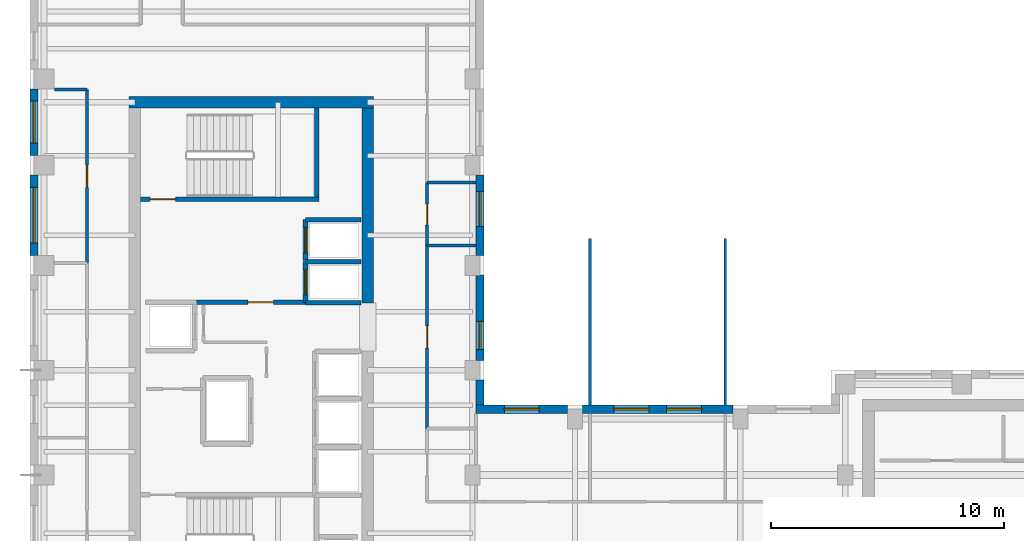
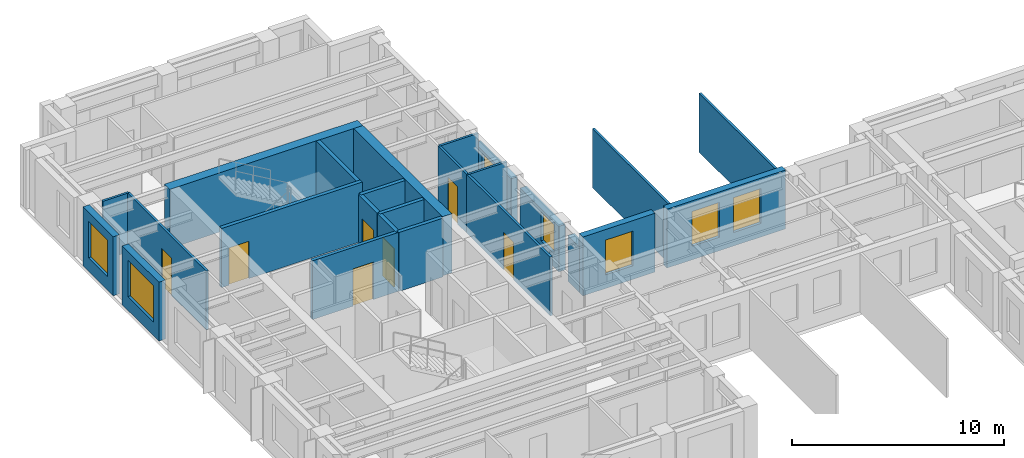
# One storey, part 5 of 10: 25 walls, 7 doors, 7 windows, 14 openings.
"""IFC4 building model written with IfcOpenShell, lengths in metres."""

import ifcopenshell
import ifcopenshell.guid

model = None  # the IFC model being written
_history = None  # IfcOwnerHistory: only IFC2X3 demands one
_inside = {}  # id of a spatial element -> (the spatial element, [elements in it])
_under = {}  # id of a project, library or spatial element -> (it, [spatial elements below it])
_declared = {}  # id of a project -> (the project, [libraries it declares])
_typed = {}  # id of a type object -> (the type object, [elements of that type])
_made_of = {}  # id of a material, layer set ... -> (it, [elements and type objects made of it])


def new_model(schema):
    """Start an empty IFC model of exactly this schema.

    Asked for "IFC4X3", IfcOpenShell would pick the latest addendum, in which some entities
    have other attributes; the version numbers below select the first issue.
    IFC2X3 requires an IfcOwnerHistory on every rooted entity: one is made here for all.
    """
    global model, _history
    if schema == "IFC4X3":
        model = ifcopenshell.file(schema_version=(4, 3, 0, 0))
    else:
        model = ifcopenshell.file(schema=schema)
    _inside.clear()
    _under.clear()
    _declared.clear()
    _typed.clear()
    _made_of.clear()
    _history = None
    if model.schema == "IFC2X3":
        org = make("IfcOrganization", Name="unknown")
        user = make(
            "IfcPersonAndOrganization",
            ThePerson=make("IfcPerson", FamilyName="unknown"),
            TheOrganization=org,
        )
        app = make(
            "IfcApplication",
            ApplicationDeveloper=org,
            Version="unknown",
            ApplicationFullName="unknown",
            ApplicationIdentifier="unknown",
        )
        _history = make(
            "IfcOwnerHistory",
            OwningUser=user,
            OwningApplication=app,
            ChangeAction="ADDED",
            CreationDate=0,
        )
    return model


def make(cls, **values):
    """One entity of the class cls with the attributes given. An attribute that is None is left unset."""
    return model.create_entity(
        cls, **{name: value for name, value in values.items() if value is not None}
    )


def rooted(cls, **values):
    """An entity with a GlobalId (a new one), such as an element, a storey or a relation."""
    return make(cls, GlobalId=ifcopenshell.guid.new(), OwnerHistory=_history, **values)


def si_unit(unit_type, name, prefix=None):
    """IfcSIUnit, for example si_unit("LENGTHUNIT", "METRE", prefix="MILLI")."""
    return make("IfcSIUnit", UnitType=unit_type, Prefix=prefix, Name=name)


def assignment(units):
    """IfcUnitAssignment: the units of a project."""
    return None if units is None else make("IfcUnitAssignment", Units=units)


def point(xyz):
    """IfcCartesianPoint."""
    return None if xyz is None else make("IfcCartesianPoint", Coordinates=xyz)


def direction(xyz):
    """IfcDirection."""
    return None if xyz is None else make("IfcDirection", DirectionRatios=xyz)


def frame(location, z_axis=None, x_axis=None):
    """IfcAxis2Placement3D, a coordinate frame: its origin and axes. An axis left out is left unset."""
    return make(
        "IfcAxis2Placement3D",
        Location=point(location),
        Axis=direction(z_axis),
        RefDirection=direction(x_axis),
    )


def frame_2d(location, x_axis=None):
    """IfcAxis2Placement2D, a coordinate frame in the plane: its origin and x axis."""
    return make(
        "IfcAxis2Placement2D", Location=point(location), RefDirection=direction(x_axis)
    )


def origin():
    """The frame at (0, 0, 0) with its axes left unset."""
    return frame((0.0, 0.0, 0.0))


def place(relative_to, where):
    """IfcLocalPlacement: puts the frame where relative to a parent placement (None: the world)."""
    return make(
        "IfcLocalPlacement", PlacementRelTo=relative_to, RelativePlacement=where
    )


def context(
    kind, dimensions, precision=None, world=None, true_north=None, identifier=None
):
    """IfcGeometricRepresentationContext, for example the 3D "Model" context."""
    return make(
        "IfcGeometricRepresentationContext",
        ContextIdentifier=identifier,
        ContextType=kind,
        CoordinateSpaceDimension=dimensions,
        Precision=precision,
        WorldCoordinateSystem=world,
        TrueNorth=true_north,
    )


def subcontext(parent, identifier, kind, view, scale=None):
    """IfcGeometricRepresentationSubContext, for example "Body" below "Model"."""
    return make(
        "IfcGeometricRepresentationSubContext",
        ContextIdentifier=identifier,
        ContextType=kind,
        ParentContext=parent,
        TargetScale=scale,
        TargetView=view,
    )


def project(units=None, contexts=None):
    """IfcProject with its units and contexts."""
    return rooted(
        "IfcProject",
        Name="project",
        RepresentationContexts=contexts,
        UnitsInContext=assignment(units),
    )


def spatial(cls, under=None, at=None, **own):
    """A site, building, storey or space (cls), placed at a placement, below another one or the project."""
    s = rooted(cls, ObjectPlacement=at, **own)
    if under is not None:
        _under.setdefault(under.id(), (under, []))[1].append(s)
    return s


def profile(cls, at=None, kind="AREA", **sizes):
    """A parametric profile (cls). Its sizes go by their IFC names, for example OverallWidth=200.0."""
    return make(cls, ProfileType=kind, Position=at, **sizes)


def rectangle(**sizes):
    """IfcRectangleProfileDef."""
    return profile("IfcRectangleProfileDef", **sizes)


def extrude(swept, where, along, depth):
    """IfcExtrudedAreaSolid: the profile swept, set in the frame where, extruded along a direction by depth."""
    return make(
        "IfcExtrudedAreaSolid",
        SweptArea=swept,
        Position=where,
        ExtrudedDirection=direction(along),
        Depth=depth,
    )


def shape(context_of_items, identifier, shape_type, items):
    """IfcShapeRepresentation: the items that make up one representation, for example the "Body"."""
    return make(
        "IfcShapeRepresentation",
        ContextOfItems=context_of_items,
        RepresentationIdentifier=identifier,
        RepresentationType=shape_type,
        Items=items,
    )


def source(mapping_origin, context_of_items, identifier, shape_type, items):
    """IfcRepresentationMap: a shape defined once, which mapped items show again and again."""
    return make(
        "IfcRepresentationMap",
        MappingOrigin=mapping_origin,
        MappedRepresentation=shape(context_of_items, identifier, shape_type, items),
    )


def transform(
    local_origin,
    x_axis=None,
    y_axis=None,
    z_axis=None,
    scale=None,
    scale2=None,
    scale3=None,
    uniform=True,
):
    """IfcCartesianTransformationOperator3D, or its non-uniform kind. x_axis, y_axis, z_axis: its Axis1, 2, 3."""
    if uniform:
        return make(
            "IfcCartesianTransformationOperator3D",
            Axis1=direction(x_axis),
            Axis2=direction(y_axis),
            LocalOrigin=point(local_origin),
            Scale=scale,
            Axis3=direction(z_axis),
        )
    return make(
        "IfcCartesianTransformationOperator3DnonUniform",
        Axis1=direction(x_axis),
        Axis2=direction(y_axis),
        LocalOrigin=point(local_origin),
        Scale=scale,
        Axis3=direction(z_axis),
        Scale2=scale2,
        Scale3=scale3,
    )


def mapped(mapping_source, mapping_target):
    """IfcMappedItem: shows the shape of a source again, moved by a transform."""
    return make(
        "IfcMappedItem", MappingSource=mapping_source, MappingTarget=mapping_target
    )


def material(Name=None, Category=None):
    """IfcMaterial."""
    return make("IfcMaterial", Name=Name, Category=Category)


def layer(
    of_material, thickness, ventilated=None, Name=None, Category=None, Priority=None
):
    """IfcMaterialLayer: one layer of a wall or slab, of a material (None: an air gap)."""
    return make(
        "IfcMaterialLayer",
        Material=of_material,
        LayerThickness=thickness,
        IsVentilated=ventilated,
        Name=Name,
        Category=Category,
        Priority=Priority,
    )


def layer_set(layers, Name=None):
    """IfcMaterialLayerSet."""
    return make("IfcMaterialLayerSet", MaterialLayers=layers, LayerSetName=Name)


def made_of(thing, what):
    """Note that an element or type object is made of a material, layer set ...; save() writes the relation."""
    if what is not None:
        _made_of.setdefault(what.id(), (what, []))[1].append(thing)
    return thing


def type_object(cls, material=None, **own):
    """A type object (cls), such as IfcWallType, which elements share."""
    return made_of(rooted(cls, **own), material)


def element(
    cls,
    number,
    at=None,
    inside=None,
    cuts=None,
    type_object=None,
    material=None,
    context=None,
    identifier="Body",
    shape_type=None,
    held_by="IfcProductDefinitionShape",
    body=None,
    shapes=None,
    **own,
):
    """One element of the class cls, such as IfcWall. Its Tag is "e" and its number.

    at: its placement. inside: the storey or other place that contains it. cuts: it is an
    opening in that element (IfcRelVoidsElement). A single representation is given by context,
    identifier, shape_type and body (its items); several are given by shapes. held_by: the class
    of the entity that holds the representations. save() writes the other relations.
    """
    e = rooted(cls, Tag="e%d" % number, ObjectPlacement=at, **own)
    if body is not None:
        shapes = [shape(context, identifier, shape_type, body)]
    if shapes is not None:
        e.Representation = make(held_by, Representations=shapes)
    if inside is not None:
        _inside.setdefault(inside.id(), (inside, []))[1].append(e)
    if cuts is not None:
        rooted(
            "IfcRelVoidsElement", RelatingBuildingElement=cuts, RelatedOpeningElement=e
        )
    if type_object is not None:
        _typed.setdefault(type_object.id(), (type_object, []))[1].append(e)
    return made_of(e, material)


def fill(opening, filler):
    """IfcRelFillsElement: the door or window that sits in an opening."""
    return rooted(
        "IfcRelFillsElement",
        RelatingOpeningElement=opening,
        RelatedBuildingElement=filler,
    )


def aggregate(whole, parts):
    """IfcRelAggregates: a whole, such as a stair, and the parts it consists of."""
    return rooted("IfcRelAggregates", RelatingObject=whole, RelatedObjects=parts)


def save(model, path):
    """Write the relations noted so far, then the file.

    IfcRelAggregates (storeys below a building ...), IfcRelContainedInSpatialStructure (elements
    in a storey), IfcRelDefinesByType, IfcRelAssociatesMaterial and IfcRelDeclares: one each for
    every whole, place, type object, material and project.
    """
    for whole, parts in _under.values():
        aggregate(whole, parts)
    for where, things in _inside.values():
        rooted(
            "IfcRelContainedInSpatialStructure",
            RelatedElements=things,
            RelatingStructure=where,
        )
    for kind, things in _typed.values():
        rooted("IfcRelDefinesByType", RelatedObjects=things, RelatingType=kind)
    for what, things in _made_of.values():
        rooted("IfcRelAssociatesMaterial", RelatedObjects=things, RelatingMaterial=what)
    for by, libraries in _declared.values():
        rooted("IfcRelDeclares", RelatingContext=by, RelatedDefinitions=libraries)
    model.write(path)


model = new_model("IFC4")

# Units and contexts
model_context = context("Model", 3, precision=1e-05, world=origin(), true_north=direction((0.0, 1.0)))
body_context = subcontext(model_context, "Body", "Model", "MODEL_VIEW")
ifc_project = project(units=[si_unit("LENGTHUNIT", "METRE"), si_unit("AREAUNIT", "SQUARE_METRE"), si_unit("VOLUMEUNIT", "CUBIC_METRE"), si_unit("PLANEANGLEUNIT", "RADIAN"), si_unit("MASSUNIT", "GRAM", prefix="KILO")], contexts=[model_context])

# Site, building, storey
site_placement = place(None, origin())
site = spatial("IfcSite", under=ifc_project, at=site_placement, CompositionType="ELEMENT")
building_placement = place(site_placement, origin())
building = spatial("IfcBuilding", under=site, at=building_placement, Name="Kharzan Plaza Tower", CompositionType="ELEMENT")
storey_placement = place(building_placement, frame((0.0, 0.0, 230.39990234375)))
storey = spatial("IfcBuildingStorey", under=building, at=storey_placement, Name="L62", CompositionType="ELEMENT", Elevation=230.39990234375)

# Wall, opening, window
ifc_material_1 = material(Name="Concrete C40/50", Category="concrete")
ifc_layer_1 = layer(ifc_material_1, 0.35009765625)
ifc_layer_set_1 = layer_set([ifc_layer_1], Name="Concrete C40/50")
wall_type_1 = type_object("IfcWallType", Name="WL-EXT-MAS-Z4", PredefinedType="SOLIDWALL", material=ifc_layer_set_1)
wall_1_placement = place(storey_placement, frame((19.324951171875, 18.423095703125, 0.0), z_axis=(0.0, 0.0, 1.0), x_axis=(0.0, 1.0, 0.0)))
wall_1 = element("IfcWall", 1, at=wall_1_placement, inside=storey, type_object=wall_type_1, Name="L62 Masonry-Frame Exterior Wall 02", PredefinedType="SOLIDWALL", context=body_context, shape_type="SweptSolid", body=[
    extrude(rectangle(XDim=3.65380859375, YDim=0.35009765625, at=frame_2d((1.826904296875, 0.0))), origin(), (0.0, 0.0, 1.0), 2.619140625),
])
opening_1_placement = place(wall_1_placement, frame((0.469970703125, 0.0, 0.780029296875)))
opening_1 = element("IfcOpeningElement", 2, at=opening_1_placement, cuts=wall_1, Name="Opening W3", PredefinedType="OPENING", context=body_context, shape_type="SweptSolid", body=[
    extrude(rectangle(XDim=1.199951171875, YDim=1.658935546875, at=frame_2d((0.60009765625, 0.82958984375))), frame((0.0, 0.18505859375, 0.0), z_axis=(0.0, -1.0, 0.0), x_axis=(1.0, 0.0, 0.0)), (0.0, 0.0, 1.0), 0.3701171875),
])
ifc_material_2 = material(Name="Low-E Double Glazing", Category="glass")
window_type_1 = type_object("IfcWindowType", Name="WN-REC-1200x2100", PartitioningType="SINGLE_PANEL", PredefinedType="WINDOW", material=ifc_material_2)
shared_shape_1 = source(origin(), body_context, "Body", "SweptSolid", [
    extrude(rectangle(XDim=1.199951171875, YDim=1.658935546875, at=frame_2d((0.60009765625, 0.82958984375))), frame((0.0, 0.030029296875, 0.0), z_axis=(0.0, -1.0, 0.0), x_axis=(1.0, 0.0, 0.0)), (0.0, 0.0, 1.0), 0.06005859375),
])
window_1_placement = place(opening_1_placement, origin())
window_1 = element("IfcWindow", 3, at=window_1_placement, inside=storey, type_object=window_type_1, Name="L62 Recessed Solar-Control Window 02-1", OverallHeight=1.658935546875, OverallWidth=1.199951171875, PartitioningType="SINGLE_PANEL", PredefinedType="WINDOW", context=body_context, shape_type="MappedRepresentation", body=[
    mapped(shared_shape_1, transform((0.0, 0.0, 0.0), x_axis=(1.0, 0.0, 0.0), y_axis=(0.0, 1.0, 0.0), z_axis=(0.0, 0.0, 1.0))),
])
fill(opening_1, window_1)

wall_2_placement = place(storey_placement, frame((19.324951171875, 22.923095703125, 0.0), z_axis=(0.0, 0.0, 1.0), x_axis=(0.0, 1.0, 0.0)))
wall_2 = element("IfcWall", 4, at=wall_2_placement, inside=storey, type_object=wall_type_1, Name="L62 Masonry-Frame Exterior Wall 03", PredefinedType="SOLIDWALL", context=body_context, shape_type="SweptSolid", body=[
    extrude(rectangle(XDim=3.453857421875, YDim=0.35009765625, at=frame_2d((1.72705078125, 0.0))), origin(), (0.0, 0.0, 1.0), 2.619140625),
])
opening_2_placement = place(wall_2_placement, frame((1.255615234375, 0.0, 0.780029296875)))
opening_2 = element("IfcOpeningElement", 5, at=opening_2_placement, cuts=wall_2, Name="Opening W5", PredefinedType="OPENING", context=body_context, shape_type="SweptSolid", body=[
    extrude(rectangle(XDim=1.5, YDim=1.658935546875, at=frame_2d((0.75, 0.82958984375))), frame((0.0, 0.18505859375, 0.0), z_axis=(0.0, -1.0, 0.0), x_axis=(1.0, 0.0, 0.0)), (0.0, 0.0, 1.0), 0.3701171875),
])
window_type_2 = type_object("IfcWindowType", Name="WN-SLT-1500x2000", PartitioningType="SINGLE_PANEL", PredefinedType="WINDOW", material=ifc_material_2)
shared_shape_2 = source(origin(), body_context, "Body", "SweptSolid", [
    extrude(rectangle(XDim=1.5, YDim=1.658935546875, at=frame_2d((0.75, 0.82958984375))), frame((0.0, 0.030029296875, 0.0), z_axis=(0.0, -1.0, 0.0), x_axis=(1.0, 0.0, 0.0)), (0.0, 0.0, 1.0), 0.06005859375),
])
window_2_placement = place(opening_2_placement, origin())
window_2 = element("IfcWindow", 6, at=window_2_placement, inside=storey, type_object=window_type_2, Name="L62 Recessed Solar-Control Window 03-1", OverallHeight=1.658935546875, OverallWidth=1.5, PartitioningType="SINGLE_PANEL", PredefinedType="WINDOW", context=body_context, shape_type="MappedRepresentation", body=[
    mapped(shared_shape_2, transform((0.0, 0.0, 0.0), x_axis=(1.0, 0.0, 0.0), y_axis=(0.0, 1.0, 0.0), z_axis=(0.0, 0.0, 1.0))),
])
fill(opening_2, window_2)

wall_3_placement = place(storey_placement, frame((0.175048828125, 30.076904296875, 0.0), z_axis=(0.0, 0.0, 1.0), x_axis=(0.0, -1.0, 0.0)))
wall_3 = element("IfcWall", 7, at=wall_3_placement, inside=storey, type_object=wall_type_1, Name="L62 Masonry-Frame Exterior Wall 17", PredefinedType="SOLIDWALL", context=body_context, shape_type="SweptSolid", body=[
    extrude(rectangle(XDim=2.85400390625, YDim=0.35009765625, at=frame_2d((1.427001953125, 0.0))), origin(), (0.0, 0.0, 1.0), 3.385009765625),
])
opening_3_placement = place(wall_3_placement, frame((0.527099609375, 0.0, 0.780029296875)))
opening_3 = element("IfcOpeningElement", 8, at=opening_3_placement, cuts=wall_3, Name="Opening W1", PredefinedType="OPENING", context=body_context, shape_type="SweptSolid", body=[
    extrude(rectangle(XDim=1.800048828125, YDim=2.10009765625, at=frame_2d((0.89990234375, 1.050048828125))), frame((0.0, 0.18505859375, 0.0), z_axis=(0.0, -1.0, 0.0), x_axis=(1.0, 0.0, 0.0)), (0.0, 0.0, 1.0), 0.3701171875),
])
window_type_3 = type_object("IfcWindowType", Name="WN-REC-1800x2100", PartitioningType="SINGLE_PANEL", PredefinedType="WINDOW", material=ifc_material_2)
shared_shape_3 = source(origin(), body_context, "Body", "SweptSolid", [
    extrude(rectangle(XDim=1.800048828125, YDim=2.10009765625, at=frame_2d((0.89990234375, 1.050048828125))), frame((0.0, 0.030029296875, 0.0), z_axis=(0.0, -1.0, 0.0), x_axis=(1.0, 0.0, 0.0)), (0.0, 0.0, 1.0), 0.06005859375),
])
window_3_placement = place(opening_3_placement, origin())
window_3 = element("IfcWindow", 9, at=window_3_placement, inside=storey, type_object=window_type_3, Name="L62 Recessed Solar-Control Window 17-1", OverallHeight=2.10009765625, OverallWidth=1.800048828125, PartitioningType="SINGLE_PANEL", PredefinedType="WINDOW", context=body_context, shape_type="MappedRepresentation", body=[
    mapped(shared_shape_3, transform((0.0, 0.0, 0.0), x_axis=(1.0, 0.0, 0.0), y_axis=(0.0, 1.0, 0.0), z_axis=(0.0, 0.0, 1.0))),
])
fill(opening_3, window_3)

wall_4_placement = place(storey_placement, frame((0.175048828125, 26.376953125, 0.0), z_axis=(0.0, 0.0, 1.0), x_axis=(0.0, -1.0, 0.0)))
wall_4 = element("IfcWall", 10, at=wall_4_placement, inside=storey, type_object=wall_type_1, Name="L62 Masonry-Frame Exterior Wall 18", PredefinedType="SOLIDWALL", context=body_context, shape_type="SweptSolid", body=[
    extrude(rectangle(XDim=3.453857421875, YDim=0.35009765625, at=frame_2d((1.72705078125, 0.0))), origin(), (0.0, 0.0, 1.0), 3.385009765625),
])
opening_4_placement = place(wall_4_placement, frame((0.527099609375, 0.0, 0.780029296875)))
opening_4 = element("IfcOpeningElement", 11, at=opening_4_placement, cuts=wall_4, Name="Opening W2", PredefinedType="OPENING", context=body_context, shape_type="SweptSolid", body=[
    extrude(rectangle(XDim=2.39990234375, YDim=2.10009765625, at=frame_2d((1.199951171875, 1.050048828125))), frame((0.0, 0.18505859375, 0.0), z_axis=(0.0, -1.0, 0.0), x_axis=(1.0, 0.0, 0.0)), (0.0, 0.0, 1.0), 0.3701171875),
])
window_type_4 = type_object("IfcWindowType", Name="WN-REC-2400x2100", PartitioningType="SINGLE_PANEL", PredefinedType="WINDOW", material=ifc_material_2)
shared_shape_4 = source(origin(), body_context, "Body", "SweptSolid", [
    extrude(rectangle(XDim=2.39990234375, YDim=2.10009765625, at=frame_2d((1.199951171875, 1.050048828125))), frame((0.0, 0.030029296875, 0.0), z_axis=(0.0, -1.0, 0.0), x_axis=(1.0, 0.0, 0.0)), (0.0, 0.0, 1.0), 0.06005859375),
])
window_4_placement = place(opening_4_placement, origin())
window_4 = element("IfcWindow", 12, at=window_4_placement, inside=storey, type_object=window_type_4, Name="L62 Wide Recessed Solar-Control Window 18-1", OverallHeight=2.10009765625, OverallWidth=2.39990234375, PartitioningType="SINGLE_PANEL", PredefinedType="WINDOW", context=body_context, shape_type="MappedRepresentation", body=[
    mapped(shared_shape_4, transform((0.0, 0.0, 0.0), x_axis=(1.0, 0.0, 0.0), y_axis=(0.0, 1.0, 0.0), z_axis=(0.0, 0.0, 1.0))),
])
fill(opening_4, window_4)

# Wall, openings, windows
wall_5_placement = place(storey_placement, frame((30.177001953125, 16.324951171875, 0.0), z_axis=(0.0, 0.0, 1.0), x_axis=(-1.0, 0.0, 0.0)))
wall_5 = element("IfcWall", 13, at=wall_5_placement, inside=storey, type_object=wall_type_1, Name="L62 Masonry-Frame Exterior Wall 49", PredefinedType="SOLIDWALL", context=body_context, shape_type="SweptSolid", body=[
    extrude(rectangle(XDim=6.4541015625, YDim=0.35009765625, at=frame_2d((3.22705078125, 0.0))), origin(), (0.0, 0.0, 1.0), 3.385009765625),
])
opening_5_placement = place(wall_5_placement, frame((1.34375, 0.0, 0.780029296875)))
opening_5 = element("IfcOpeningElement", 14, at=opening_5_placement, cuts=wall_5, Name="Opening W5", PredefinedType="OPENING", context=body_context, shape_type="SweptSolid", body=[
    extrude(rectangle(XDim=1.5, YDim=2.0, at=frame_2d((0.75, 1.0))), frame((0.0, 0.18505859375, 0.0), z_axis=(0.0, -1.0, 0.0), x_axis=(1.0, 0.0, 0.0)), (0.0, 0.0, 1.0), 0.3701171875),
])
opening_6_placement = place(wall_5_placement, frame((3.6103515625, 0.0, 0.780029296875)))
opening_6 = element("IfcOpeningElement", 15, at=opening_6_placement, cuts=wall_5, Name="Opening W5", PredefinedType="OPENING", context=body_context, shape_type="SweptSolid", body=[
    extrude(rectangle(XDim=1.5, YDim=2.0, at=frame_2d((0.75, 1.0))), frame((0.0, 0.18505859375, 0.0), z_axis=(0.0, -1.0, 0.0), x_axis=(1.0, 0.0, 0.0)), (0.0, 0.0, 1.0), 0.3701171875),
])
shared_shape_5 = source(origin(), body_context, "Body", "SweptSolid", [
    extrude(rectangle(XDim=1.5, YDim=2.0, at=frame_2d((0.75, 1.0))), frame((0.0, 0.030029296875, 0.0), z_axis=(0.0, -1.0, 0.0), x_axis=(1.0, 0.0, 0.0)), (0.0, 0.0, 1.0), 0.06005859375),
])
window_5_placement = place(opening_5_placement, origin())
window_5 = element("IfcWindow", 16, at=window_5_placement, inside=storey, type_object=window_type_2, Name="L62 Recessed Solar-Control Window 49-1", OverallHeight=2.0, OverallWidth=1.5, PartitioningType="SINGLE_PANEL", PredefinedType="WINDOW", context=body_context, shape_type="MappedRepresentation", body=[
    mapped(shared_shape_5, transform((0.0, 0.0, 0.0), x_axis=(1.0, 0.0, 0.0), y_axis=(0.0, 1.0, 0.0), z_axis=(0.0, 0.0, 1.0))),
])
fill(opening_5, window_5)
window_6_placement = place(opening_6_placement, origin())
window_6 = element("IfcWindow", 17, at=window_6_placement, inside=storey, type_object=window_type_2, Name="L62 Recessed Solar-Control Window 49-2", OverallHeight=2.0, OverallWidth=1.5, PartitioningType="SINGLE_PANEL", PredefinedType="WINDOW", context=body_context, shape_type="MappedRepresentation", body=[
    mapped(shared_shape_5, transform((0.0, 0.0, 0.0), x_axis=(1.0, 0.0, 0.0), y_axis=(0.0, 1.0, 0.0), z_axis=(0.0, 0.0, 1.0))),
])
fill(opening_6, window_6)

# Wall, opening, window
wall_6_placement = place(storey_placement, frame((23.076904296875, 16.324951171875, 0.0), z_axis=(0.0, 0.0, 1.0), x_axis=(-1.0, 0.0, 0.0)))
wall_6 = element("IfcWall", 18, at=wall_6_placement, inside=storey, type_object=wall_type_1, Name="L62 Masonry-Frame Exterior Wall 50", PredefinedType="SOLIDWALL", context=body_context, shape_type="SweptSolid", body=[
    extrude(rectangle(XDim=3.927001953125, YDim=0.35009765625, at=frame_2d((1.96337890625, 0.0))), origin(), (0.0, 0.0, 1.0), 3.385009765625),
])
opening_7_placement = place(wall_6_placement, frame((1.21337890625, 0.0, 0.780029296875)))
opening_7 = element("IfcOpeningElement", 19, at=opening_7_placement, cuts=wall_6, Name="Opening W5", PredefinedType="OPENING", context=body_context, shape_type="SweptSolid", body=[
    extrude(rectangle(XDim=1.5, YDim=2.0, at=frame_2d((0.75, 1.0))), frame((0.0, 0.18505859375, 0.0), z_axis=(0.0, -1.0, 0.0), x_axis=(1.0, 0.0, 0.0)), (0.0, 0.0, 1.0), 0.3701171875),
])
window_7_placement = place(opening_7_placement, origin())
window_7 = element("IfcWindow", 20, at=window_7_placement, inside=storey, type_object=window_type_2, Name="L62 Recessed Solar-Control Window 50-1", OverallHeight=2.0, OverallWidth=1.5, PartitioningType="SINGLE_PANEL", PredefinedType="WINDOW", context=body_context, shape_type="MappedRepresentation", body=[
    mapped(shared_shape_5, transform((0.0, 0.0, 0.0), x_axis=(1.0, 0.0, 0.0), y_axis=(0.0, 1.0, 0.0), z_axis=(0.0, 0.0, 1.0))),
])
fill(opening_7, window_7)

# Wall, opening, door
ifc_layer_2 = layer(ifc_material_1, 0.179931640625)
ifc_layer_set_2 = layer_set([ifc_layer_2], Name="Concrete C40/50")
wall_type_2 = type_object("IfcWallType", Name="WL-INT-FIRE-180", PredefinedType="PARTITIONING", material=ifc_layer_set_2)
wall_7_placement = place(storey_placement, frame((7.14990234375, 20.919921875, 0.0), z_axis=(0.0, 0.0, 1.0), x_axis=(1.0, 0.0, 0.0)))
wall_7 = element("IfcWall", 21, at=wall_7_placement, inside=storey, type_object=wall_type_2, Name="L62 Interior Partition CA-FF-S", PredefinedType="PARTITIONING", context=body_context, shape_type="SweptSolid", body=[
    extrude(rectangle(XDim=4.68017578125, YDim=0.179931640625, at=frame_2d((2.340087890625, 0.0))), origin(), (0.0, 0.0, 1.0), 3.385009765625),
])
opening_8_placement = place(wall_7_placement, frame((2.199951171875, 0.0, 0.0)))
opening_8 = element("IfcOpeningElement", 22, at=opening_8_placement, cuts=wall_7, Name="Opening FD1", PredefinedType="OPENING", context=body_context, shape_type="SweptSolid", body=[
    extrude(rectangle(XDim=1.10009765625, YDim=2.14990234375, at=frame_2d((0.550048828125, 1.074951171875))), frame((0.0, 0.099853515625, 0.0), z_axis=(0.0, -1.0, 0.0), x_axis=(1.0, 0.0, 0.0)), (0.0, 0.0, 1.0), 0.199951171875),
])
ifc_material_3 = material(Name="Fire-Rated Acoustic Vision-Panel Steel", Category="steel")
door_type_1 = type_object("IfcDoorType", Name="DR-FIRE-LOBBY", OperationType="NOTDEFINED", PredefinedType="DOOR", material=ifc_material_3)
shared_shape_6 = source(origin(), body_context, "Body", "SweptSolid", [
    extrude(rectangle(XDim=1.10009765625, YDim=2.14990234375, at=frame_2d((0.550048828125, 1.074951171875))), frame((0.0, 0.02490234375, 0.0), z_axis=(0.0, -1.0, 0.0), x_axis=(1.0, 0.0, 0.0)), (0.0, 0.0, 1.0), 0.050048828125),
])
door_1_placement = place(opening_8_placement, origin())
door_1 = element("IfcDoor", 23, at=door_1_placement, inside=storey, type_object=door_type_1, Name="L62 Firefighting Lobby Door", OperationType="SINGLE_SWING_RIGHT", OverallHeight=2.14990234375, OverallWidth=1.10009765625, PredefinedType="DOOR", context=body_context, shape_type="MappedRepresentation", body=[
    mapped(shared_shape_6, transform((0.0, 0.0, 0.0), x_axis=(1.0, 0.0, 0.0), y_axis=(0.0, 1.0, 0.0), z_axis=(0.0, 0.0, 1.0))),
])
fill(opening_8, door_1)

ifc_material_4 = material(Name="Fire-Rated Gypsum Board Partition", Category="gypsum")
ifc_layer_3 = layer(ifc_material_4, 0.125)
ifc_layer_set_3 = layer_set([ifc_layer_3], Name="Fire-Rated Gypsum Board Partition")
wall_type_3 = type_object("IfcWallType", Name="WL-INT-PART-125", PredefinedType="PARTITIONING", material=ifc_layer_set_3)
wall_8_placement = place(storey_placement, frame((17.050048828125, 15.5, 0.0), z_axis=(0.0, 0.0, 1.0), x_axis=(0.0, 1.0, 0.0)))
wall_8 = element("IfcWall", 24, at=wall_8_placement, inside=storey, type_object=wall_type_3, Name="L62 Interior Partition SH-AEWN2", PredefinedType="PARTITIONING", context=body_context, shape_type="SweptSolid", body=[
    extrude(rectangle(XDim=7.85009765625, YDim=0.125, at=frame_2d((3.925048828125, 0.0))), origin(), (0.0, 0.0, 1.0), 3.385009765625),
])
opening_9_placement = place(wall_8_placement, frame((3.449951171875, 0.0, 0.0)))
opening_9 = element("IfcOpeningElement", 25, at=opening_9_placement, cuts=wall_8, Name="Opening OD1", PredefinedType="OPENING", context=body_context, shape_type="SweptSolid", body=[
    extrude(rectangle(XDim=0.949951171875, YDim=2.14990234375, at=frame_2d((0.47509765625, 1.074951171875))), frame((0.0, 0.072509765625, 0.0), z_axis=(0.0, -1.0, 0.0), x_axis=(1.0, 0.0, 0.0)), (0.0, 0.0, 1.0), 0.14501953125),
])
ifc_material_5 = material(Name="Acoustic Solid-Core Stained Oak", Category="timber")
door_type_2 = type_object("IfcDoorType", Name="DR-OFF-SINGLE", OperationType="NOTDEFINED", PredefinedType="DOOR", material=ifc_material_5)
shared_shape_7 = source(origin(), body_context, "Body", "SweptSolid", [
    extrude(rectangle(XDim=0.949951171875, YDim=2.14990234375, at=frame_2d((0.47509765625, 1.074951171875))), frame((0.0, 0.02490234375, 0.0), z_axis=(0.0, -1.0, 0.0), x_axis=(1.0, 0.0, 0.0)), (0.0, 0.0, 1.0), 0.050048828125),
])
door_2_placement = place(opening_9_placement, origin())
door_2 = element("IfcDoor", 26, at=door_2_placement, inside=storey, type_object=door_type_2, Name="L62 Slot Studio Door", OperationType="SINGLE_SWING_RIGHT", OverallHeight=2.14990234375, OverallWidth=0.949951171875, PredefinedType="DOOR", context=body_context, shape_type="MappedRepresentation", body=[
    mapped(shared_shape_7, transform((0.0, 0.0, 0.0), x_axis=(1.0, 0.0, 0.0), y_axis=(0.0, 1.0, 0.0), z_axis=(0.0, 0.0, 1.0))),
])
fill(opening_9, door_2)

wall_9_placement = place(storey_placement, frame((17.050048828125, 23.35009765625, 0.0), z_axis=(0.0, 0.0, 1.0), x_axis=(0.0, 1.0, 0.0)))
wall_9 = element("IfcWall", 27, at=wall_9_placement, inside=storey, type_object=wall_type_3, Name="L62 Interior Partition SH-AEWW", PredefinedType="PARTITIONING", context=body_context, shape_type="SweptSolid", body=[
    extrude(rectangle(XDim=2.699951171875, YDim=0.125, at=frame_2d((1.35009765625, 0.0))), origin(), (0.0, 0.0, 1.0), 3.385009765625),
])
opening_10_placement = place(wall_9_placement, frame((0.875, 0.0, 0.0)))
opening_10 = element("IfcOpeningElement", 28, at=opening_10_placement, cuts=wall_9, Name="Opening WD1", PredefinedType="OPENING", context=body_context, shape_type="SweptSolid", body=[
    extrude(rectangle(XDim=0.89990234375, YDim=2.14990234375, at=frame_2d((0.449951171875, 1.074951171875))), frame((0.0, 0.072509765625, 0.0), z_axis=(0.0, -1.0, 0.0), x_axis=(1.0, 0.0, 0.0)), (0.0, 0.0, 1.0), 0.14501953125),
])
ifc_material_6 = material(Name="Moisture-Resistant Fire-Rated Laminate", Category="timber")
door_type_3 = type_object("IfcDoorType", Name="DR-WC-900", OperationType="NOTDEFINED", PredefinedType="DOOR", material=ifc_material_6)
shared_shape_8 = source(origin(), body_context, "Body", "SweptSolid", [
    extrude(rectangle(XDim=0.89990234375, YDim=2.14990234375, at=frame_2d((0.449951171875, 1.074951171875))), frame((0.0, 0.02490234375, 0.0), z_axis=(0.0, -1.0, 0.0), x_axis=(1.0, 0.0, 0.0)), (0.0, 0.0, 1.0), 0.050048828125),
])
door_3_placement = place(opening_10_placement, origin())
door_3 = element("IfcDoor", 29, at=door_3_placement, inside=storey, type_object=door_type_3, Name="L62 Wing A Washroom Door", OperationType="SINGLE_SWING_LEFT", OverallHeight=2.14990234375, OverallWidth=0.89990234375, PredefinedType="DOOR", context=body_context, shape_type="MappedRepresentation", body=[
    mapped(shared_shape_8, transform((0.0, 0.0, 0.0), x_axis=(1.0, 0.0, 0.0), y_axis=(0.0, 1.0, 0.0), z_axis=(0.0, 0.0, 1.0))),
])
fill(opening_10, door_3)

wall_10_placement = place(storey_placement, frame((2.449951171875, 22.60009765625, 0.0), z_axis=(0.0, 0.0, 1.0), x_axis=(0.0, 1.0, 0.0)))
wall_10 = element("IfcWall", 30, at=wall_10_placement, inside=storey, type_object=wall_type_3, Name="L62 Interior Partition SH-WW-3", PredefinedType="PARTITIONING", context=body_context, shape_type="SweptSolid", body=[
    extrude(rectangle(XDim=7.449951171875, YDim=0.125, at=frame_2d((3.72509765625, 0.0))), origin(), (0.0, 0.0, 1.0), 3.385009765625),
])
opening_11_placement = place(wall_10_placement, frame((3.25, 0.0, 0.0)))
opening_11 = element("IfcOpeningElement", 31, at=opening_11_placement, cuts=wall_10, Name="Opening OD1", PredefinedType="OPENING", context=body_context, shape_type="SweptSolid", body=[
    extrude(rectangle(XDim=0.949951171875, YDim=2.14990234375, at=frame_2d((0.47509765625, 1.074951171875))), frame((0.0, 0.072509765625, 0.0), z_axis=(0.0, -1.0, 0.0), x_axis=(1.0, 0.0, 0.0)), (0.0, 0.0, 1.0), 0.14501953125),
])
door_4_placement = place(opening_11_placement, origin())
door_4 = element("IfcDoor", 32, at=door_4_placement, inside=storey, type_object=door_type_2, Name="L62 Lab Safety Briefing Room Door", OperationType="SINGLE_SWING_LEFT", OverallHeight=2.14990234375, OverallWidth=0.949951171875, PredefinedType="DOOR", context=body_context, shape_type="MappedRepresentation", body=[
    mapped(shared_shape_7, transform((0.0, 0.0, 0.0), x_axis=(1.0, 0.0, 0.0), y_axis=(0.0, 1.0, 0.0), z_axis=(0.0, 0.0, 1.0))),
])
fill(opening_11, door_4)

ifc_layer_4 = layer(ifc_material_1, 0.199951171875)
ifc_layer_set_4 = layer_set([ifc_layer_4], Name="Concrete C40/50")
wall_type_4 = type_object("IfcWallType", Name="WL-INT-SHAFT-200", PredefinedType="PARTITIONING", material=ifc_layer_set_4)
wall_11_placement = place(storey_placement, frame((11.830078125, 20.89990234375, 0.0), z_axis=(0.0, 0.0, 1.0), x_axis=(0.0, 1.0, 0.0)))
wall_11 = element("IfcWall", 33, at=wall_11_placement, inside=storey, type_object=wall_type_4, Name="L62 Interior Partition SHF-FFL-1-W", PredefinedType="PARTITIONING", context=body_context, shape_type="SweptSolid", body=[
    extrude(rectangle(XDim=1.760009765625, YDim=0.199951171875, at=frame_2d((0.8798828125, 0.0))), origin(), (0.0, 0.0, 1.0), 3.385009765625),
])
opening_12_placement = place(wall_11_placement, frame((0.330078125, 0.0, 0.0)))
opening_12 = element("IfcOpeningElement", 34, at=opening_12_placement, cuts=wall_11, Name="Opening LD", PredefinedType="OPENING", context=body_context, shape_type="SweptSolid", body=[
    extrude(rectangle(XDim=1.10009765625, YDim=2.199951171875, at=frame_2d((0.550048828125, 1.10009765625))), frame((0.0, 0.10986328125, 0.0), z_axis=(0.0, -1.0, 0.0), x_axis=(1.0, 0.0, 0.0)), (0.0, 0.0, 1.0), 0.219970703125),
])
ifc_material_7 = material(Name="Brushed Stainless Steel", Category="steel")
door_type_4 = type_object("IfcDoorType", Name="DR-LIFT-SLIDE", OperationType="SLIDING_TO_LEFT", PredefinedType="DOOR", material=ifc_material_7)
shared_shape_9 = source(origin(), body_context, "Body", "SweptSolid", [
    extrude(rectangle(XDim=1.10009765625, YDim=2.199951171875, at=frame_2d((0.550048828125, 1.10009765625))), frame((0.0, 0.02490234375, 0.0), z_axis=(0.0, -1.0, 0.0), x_axis=(1.0, 0.0, 0.0)), (0.0, 0.0, 1.0), 0.050048828125),
])
door_5_placement = place(opening_12_placement, origin())
door_5 = element("IfcDoor", 35, at=door_5_placement, inside=storey, type_object=door_type_4, Name="L62 Firefighting Lift FFL-1 Sliding Landing Door", OperationType="SLIDING_TO_LEFT", OverallHeight=2.199951171875, OverallWidth=1.10009765625, PredefinedType="DOOR", context=body_context, shape_type="MappedRepresentation", body=[
    mapped(shared_shape_9, transform((0.0, 0.0, 0.0), x_axis=(1.0, 0.0, 0.0), y_axis=(0.0, 1.0, 0.0), z_axis=(0.0, 0.0, 1.0))),
])
fill(opening_12, door_5)

wall_12_placement = place(storey_placement, frame((11.830078125, 22.699951171875, 0.0), z_axis=(0.0, 0.0, 1.0), x_axis=(0.0, 1.0, 0.0)))
wall_12 = element("IfcWall", 36, at=wall_12_placement, inside=storey, type_object=wall_type_4, Name="L62 Interior Partition SHF-FFL-2-W", PredefinedType="PARTITIONING", context=body_context, shape_type="SweptSolid", body=[
    extrude(rectangle(XDim=1.760009765625, YDim=0.199951171875, at=frame_2d((0.8798828125, 0.0))), origin(), (0.0, 0.0, 1.0), 3.385009765625),
])
opening_13_placement = place(wall_12_placement, frame((0.330078125, 0.0, 0.0)))
opening_13 = element("IfcOpeningElement", 37, at=opening_13_placement, cuts=wall_12, Name="Opening LD", PredefinedType="OPENING", context=body_context, shape_type="SweptSolid", body=[
    extrude(rectangle(XDim=1.10009765625, YDim=2.199951171875, at=frame_2d((0.550048828125, 1.10009765625))), frame((0.0, 0.10986328125, 0.0), z_axis=(0.0, -1.0, 0.0), x_axis=(1.0, 0.0, 0.0)), (0.0, 0.0, 1.0), 0.219970703125),
])
door_6_placement = place(opening_13_placement, origin())
door_6 = element("IfcDoor", 38, at=door_6_placement, inside=storey, type_object=door_type_4, Name="L62 Firefighting Lift FFL-2 Sliding Landing Door", OperationType="SLIDING_TO_LEFT", OverallHeight=2.199951171875, OverallWidth=1.10009765625, PredefinedType="DOOR", context=body_context, shape_type="MappedRepresentation", body=[
    mapped(shared_shape_9, transform((0.0, 0.0, 0.0), x_axis=(1.0, 0.0, 0.0), y_axis=(0.0, 1.0, 0.0), z_axis=(0.0, 0.0, 1.0))),
])
fill(opening_13, door_6)

ifc_material_8 = material(Name="Concrete C50/60", Category="concrete")
ifc_layer_5 = layer(ifc_material_8, 0.199951171875)
ifc_layer_set_5 = layer_set([ifc_layer_5], Name="Concrete C50/60")
wall_type_5 = type_object("IfcWallType", Name="WL-SHAFT-RC200", PredefinedType="SHEAR", material=ifc_layer_set_5)
wall_13_placement = place(storey_placement, frame((4.751953125, 25.344970703125, 0.0), z_axis=(0.0, 0.0, 1.0), x_axis=(1.0, 0.0, 0.0)))
wall_13 = element("IfcWall", 39, at=wall_13_placement, inside=storey, type_object=wall_type_5, Name="L62 Stair ST-2 South RC Shaft Wall", PredefinedType="SHEAR", context=body_context, shape_type="SweptSolid", body=[
    extrude(rectangle(XDim=7.653076171875, YDim=0.199951171875, at=frame_2d((3.82666015625, 0.0))), origin(), (0.0, 0.0, 1.0), 3.400146484375),
])
opening_14_placement = place(wall_13_placement, frame((0.39990234375, 0.0, 0.0)))
opening_14 = element("IfcOpeningElement", 40, at=opening_14_placement, cuts=wall_13, Name="Opening SD1", PredefinedType="OPENING", context=body_context, shape_type="SweptSolid", body=[
    extrude(rectangle(XDim=1.10009765625, YDim=2.14990234375, at=frame_2d((0.550048828125, 1.074951171875))), frame((0.0, 0.10986328125, 0.0), z_axis=(0.0, -1.0, 0.0), x_axis=(1.0, 0.0, 0.0)), (0.0, 0.0, 1.0), 0.219970703125),
])
ifc_material_9 = material(Name="Fire-Rated Hollow Galvanized Steel", Category="steel")
door_type_5 = type_object("IfcDoorType", Name="DR-STAIR-FD120", OperationType="NOTDEFINED", PredefinedType="DOOR", material=ifc_material_9)
shared_shape_10 = source(origin(), body_context, "Body", "SweptSolid", [
    extrude(rectangle(XDim=1.10009765625, YDim=2.14990234375, at=frame_2d((0.550048828125, 1.074951171875))), frame((0.0, 0.02490234375, 0.0), z_axis=(0.0, -1.0, 0.0), x_axis=(1.0, 0.0, 0.0)), (0.0, 0.0, 1.0), 0.050048828125),
])
door_7_placement = place(opening_14_placement, origin())
door_7 = element("IfcDoor", 41, at=door_7_placement, inside=storey, type_object=door_type_5, Name="L62 Stair ST-2 Fire Exit Door", OperationType="SINGLE_SWING_LEFT", OverallHeight=2.14990234375, OverallWidth=1.10009765625, PredefinedType="DOOR", context=body_context, shape_type="MappedRepresentation", body=[
    mapped(shared_shape_10, transform((0.0, 0.0, 0.0), x_axis=(1.0, 0.0, 0.0), y_axis=(0.0, 1.0, 0.0), z_axis=(0.0, 0.0, 1.0))),
])
fill(opening_14, door_7)

# Walls
shared_shape_11 = source(origin(), body_context, "Body", "SweptSolid", [
    extrude(rectangle(XDim=2.097900390625, YDim=0.125, at=frame_2d((1.048828125, 0.0))), origin(), (0.0, 0.0, 1.0), 3.385009765625),
])
for number, where, z_axis, x_axis, name in (
    (42, (17.050048828125, 23.35009765625, 0.0), (0.0, 0.0, 1.0), (1.0, 0.0, 0.0), "L62 Interior Partition SH-AEH-233"),
    (43, (17.050048828125, 26.050048828125, 0.0), (0.0, 0.0, 1.0), (1.0, 0.0, 0.0), "L62 Interior Partition SH-AEH-260"),
):
    element("IfcWall", number, at=place(storey_placement, frame(where, z_axis=z_axis, x_axis=x_axis)), inside=storey, type_object=wall_type_3, Name=name, PredefinedType="PARTITIONING", context=body_context, shape_type="MappedRepresentation", body=[
        mapped(shared_shape_11, transform((0.0, 0.0, 0.0), x_axis=(1.0, 0.0, 0.0), y_axis=(0.0, 1.0, 0.0), z_axis=(0.0, 0.0, 1.0))),
    ])
ifc_layer_6 = layer(ifc_material_8, 0.5)
ifc_layer_set_6 = layer_set([ifc_layer_6], Name="Concrete C50/60")
wall_type_6 = type_object("IfcWallType", Name="WL-CORE-500", PredefinedType="SHEAR", material=ifc_layer_set_6)
shared_shape_12 = source(origin(), body_context, "Body", "SweptSolid", [
    extrude(rectangle(XDim=8.3701171875, YDim=0.5, at=frame_2d((4.18505859375, 0.0))), origin(), (0.0, 0.0, 1.0), 3.400146484375),
])
wall_14_placement = place(storey_placement, frame((14.5, 20.8798828125, 0.0), z_axis=(0.0, 0.0, 1.0), x_axis=(0.0, 1.0, 0.0)))
element("IfcWall", 44, at=wall_14_placement, inside=storey, type_object=wall_type_6, Name="L62 CORE-A east shear pier 2", PredefinedType="SHEAR", context=body_context, shape_type="MappedRepresentation", body=[
    mapped(shared_shape_12, transform((0.0, 0.0, 0.0), x_axis=(1.0, 0.0, 0.0), y_axis=(0.0, 1.0, 0.0), z_axis=(0.0, 0.0, 1.0))),
])
shared_shape_13 = source(origin(), body_context, "Body", "SweptSolid", [
    extrude(rectangle(XDim=10.5, YDim=0.5, at=frame_2d((5.25, 0.0))), origin(), (0.0, 0.0, 1.0), 3.400146484375),
])
wall_15_placement = place(storey_placement, frame((4.25, 29.5, 0.0), z_axis=(0.0, 0.0, 1.0), x_axis=(1.0, 0.0, 0.0)))
element("IfcWall", 45, at=wall_15_placement, inside=storey, type_object=wall_type_6, Name="L62 CORE-A north RC shear wall", PredefinedType="SHEAR", context=body_context, shape_type="MappedRepresentation", body=[
    mapped(shared_shape_13, transform((0.0, 0.0, 0.0), x_axis=(1.0, 0.0, 0.0), y_axis=(0.0, 1.0, 0.0), z_axis=(0.0, 0.0, 1.0))),
])
shared_shape_14 = source(origin(), body_context, "Body", "SweptSolid", [
    extrude(rectangle(XDim=2.389892578125, YDim=0.199951171875, at=frame_2d((1.19482421875, 0.0))), origin(), (0.0, 0.0, 1.0), 3.385009765625),
])
for number, where, z_axis, x_axis, name in (
    (46, (11.830078125, 22.659912109375, 0.0), (0.0, 0.0, 1.0), (1.0, 0.0, 0.0), "L62 Interior Partition SHF-FFL-1-N"),
    (47, (11.830078125, 20.89990234375, 0.0), (0.0, 0.0, 1.0), (1.0, 0.0, 0.0), "L62 Interior Partition SHF-FFL-1-S"),
    (48, (11.830078125, 24.4599609375, 0.0), (0.0, 0.0, 1.0), (1.0, 0.0, 0.0), "L62 Interior Partition SHF-FFL-2-N"),
):
    element("IfcWall", number, at=place(storey_placement, frame(where, z_axis=z_axis, x_axis=x_axis)), inside=storey, type_object=wall_type_4, Name=name, PredefinedType="PARTITIONING", context=body_context, shape_type="MappedRepresentation", body=[
        mapped(shared_shape_14, transform((0.0, 0.0, 0.0), x_axis=(1.0, 0.0, 0.0), y_axis=(0.0, 1.0, 0.0), z_axis=(0.0, 0.0, 1.0))),
    ])
shared_shape_15 = source(origin(), body_context, "Body", "SweptSolid", [
    extrude(rectangle(XDim=3.802978515625, YDim=0.199951171875, at=frame_2d((1.9013671875, 0.0))), origin(), (0.0, 0.0, 1.0), 3.400146484375),
])
wall_16_placement = place(storey_placement, frame((12.304931640625, 25.445068359375, 0.0), z_axis=(0.0, 0.0, 1.0), x_axis=(0.0, 1.0, 0.0)))
element("IfcWall", 49, at=wall_16_placement, inside=storey, type_object=wall_type_5, Name="L62 Stair ST-2 East RC Shaft Wall", PredefinedType="SHEAR", context=body_context, shape_type="MappedRepresentation", body=[
    mapped(shared_shape_15, transform((0.0, 0.0, 0.0), x_axis=(1.0, 0.0, 0.0), y_axis=(0.0, 1.0, 0.0), z_axis=(0.0, 0.0, 1.0))),
])
shared_shape_16 = source(origin(), body_context, "Body", "SweptSolid", [
    extrude(rectangle(XDim=1.39990234375, YDim=0.125, at=frame_2d((0.699951171875, 0.0))), origin(), (0.0, 0.0, 1.0), 3.385009765625),
])
wall_17_placement = place(storey_placement, frame((1.050048828125, 30.050048828125, 0.0), z_axis=(0.0, 0.0, 1.0), x_axis=(1.0, 0.0, 0.0)))
element("IfcWall", 50, at=wall_17_placement, inside=storey, type_object=wall_type_3, Name="L62 Interior Partition SH-RWN0", PredefinedType="PARTITIONING", context=body_context, shape_type="MappedRepresentation", body=[
    mapped(shared_shape_16, transform((0.0, 0.0, 0.0), x_axis=(1.0, 0.0, 0.0), y_axis=(0.0, 1.0, 0.0), z_axis=(0.0, 0.0, 1.0))),
])
shared_shape_17 = source(origin(), body_context, "Body", "SweptSolid", [
    extrude(rectangle(XDim=1.078857421875, YDim=0.35009765625, at=frame_2d((0.53955078125, 0.0))), origin(), (0.0, 0.0, 1.0), 2.619140625),
])
wall_18_placement = place(storey_placement, frame((19.324951171875, 16.498046875, 0.0), z_axis=(0.0, 0.0, 1.0), x_axis=(0.0, 1.0, 0.0)))
element("IfcWall", 51, at=wall_18_placement, inside=storey, type_object=wall_type_1, Name="L62 Masonry-Frame Exterior Wall 01", PredefinedType="SOLIDWALL", context=body_context, shape_type="MappedRepresentation", body=[
    mapped(shared_shape_17, transform((0.0, 0.0, 0.0), x_axis=(1.0, 0.0, 0.0), y_axis=(0.0, 1.0, 0.0), z_axis=(0.0, 0.0, 1.0))),
])
shared_shape_18 = source(origin(), body_context, "Body", "SweptSolid", [
    extrude(rectangle(XDim=7.14794921875, YDim=0.125, at=frame_2d((3.573974609375, 0.0))), origin(), (0.0, 0.0, 1.0), 3.385009765625),
])
for number, where, z_axis, x_axis, name in (
    (52, (24.050048828125, 16.501953125, 0.0), (0.0, 0.0, 1.0), (0.0, 1.0, 0.0), "L62 Interior Partition SH-SPML-S2"),
    (53, (29.85009765625, 16.501953125, 0.0), (0.0, 0.0, 1.0), (0.0, 1.0, 0.0), "L62 Interior Partition SH-SPMR-S2"),
):
    element("IfcWall", number, at=place(storey_placement, frame(where, z_axis=z_axis, x_axis=x_axis)), inside=storey, type_object=wall_type_3, Name=name, PredefinedType="PARTITIONING", context=body_context, shape_type="MappedRepresentation", body=[
        mapped(shared_shape_18, transform((0.0, 0.0, 0.0), x_axis=(1.0, 0.0, 0.0), y_axis=(0.0, 1.0, 0.0), z_axis=(0.0, 0.0, 1.0))),
    ])

save(model, "model.ifc")
